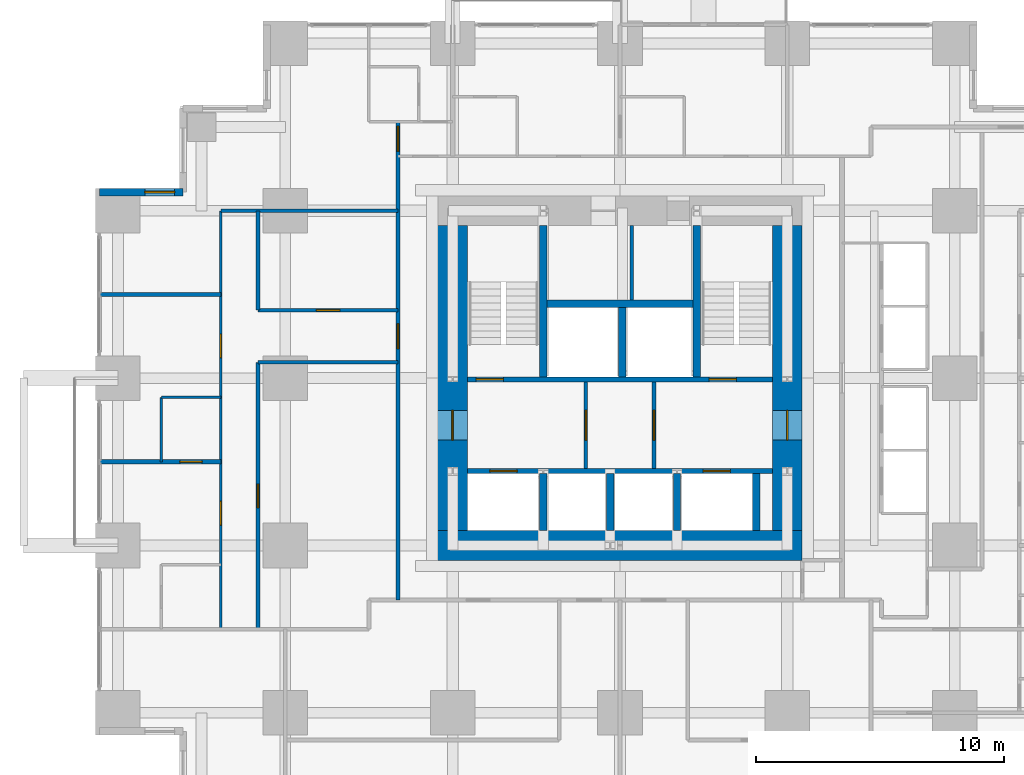
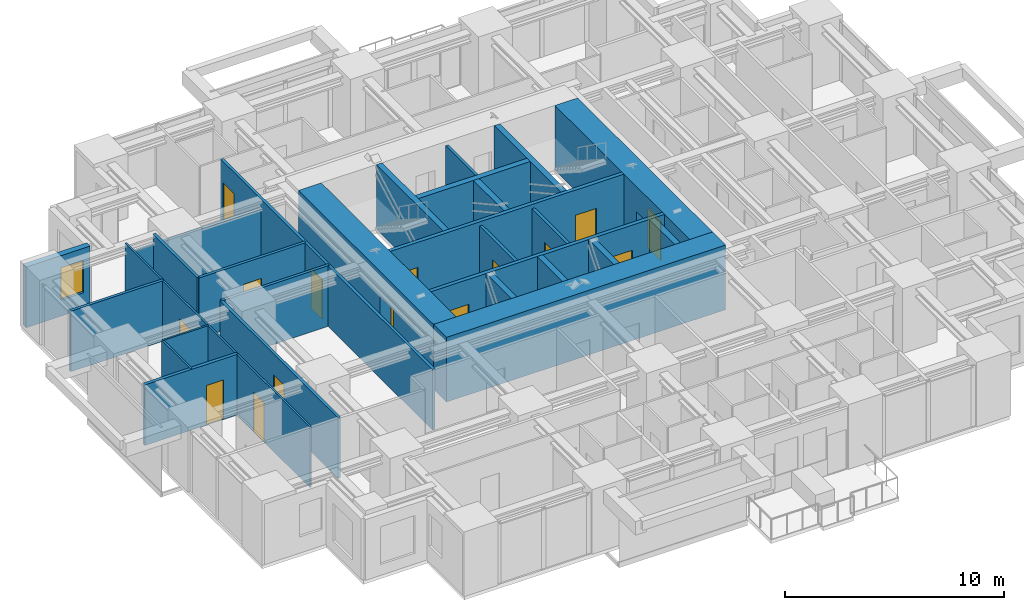
# One storey, part 8 of 12: 28 walls, 15 doors, 1 window, 16 openings.
"""IFC4 building model written with IfcOpenShell, lengths in metres."""

from ifc_helpers import new_model, si_unit, direction, frame, frame_2d, origin, place, context, subcontext, project, spatial, rectangle, extrude, material, layer, layer_set, type_object, element, fill, save


model = new_model("IFC4")

# Units and contexts
model_context = context("Model", 3, precision=1e-05, world=origin(), true_north=direction((0.0, 1.0)))
body_context = subcontext(model_context, "Body", "Model", "MODEL_VIEW")
ifc_project = project(units=[si_unit("LENGTHUNIT", "METRE"), si_unit("AREAUNIT", "SQUARE_METRE"), si_unit("VOLUMEUNIT", "CUBIC_METRE"), si_unit("PLANEANGLEUNIT", "RADIAN"), si_unit("MASSUNIT", "GRAM", prefix="KILO")], contexts=[model_context])

# Site, building, storey
site_placement = place(None, origin())
site = spatial("IfcSite", under=ifc_project, at=site_placement, CompositionType="ELEMENT")
building_placement = place(site_placement, origin())
building = spatial("IfcBuilding", under=site, at=building_placement, Name="Nyansa Garden Tower", CompositionType="ELEMENT")
storey_placement = place(building_placement, frame((0.0, 0.0, 90.89990234375)))
storey = spatial("IfcBuildingStorey", under=building, at=storey_placement, Name="L24", CompositionType="ELEMENT", Elevation=90.89990234375)

# Wall, opening, door
ifc_material_1 = material(Name="Dense blockwork, plastered both sides, 55 dB", Category="masonry")
ifc_layer_1 = layer(ifc_material_1, 0.175048828125)
ifc_layer_set_1 = layer_set([ifc_layer_1], Name="Acoustic party wall PW175")
wall_type_1 = type_object("IfcWallType", Name="Acoustic party wall PW175", PredefinedType="PARTITIONING", material=ifc_layer_set_1)
wall_1_placement = place(storey_placement, frame((-0.73388671875, 16.875, 0.0), z_axis=(0.0, 0.0, 1.0), x_axis=(1.0, 0.0, 0.0)))
wall_1 = element("IfcWall", 1, at=wall_1_placement, inside=storey, type_object=wall_type_1, Name="Party wall", PredefinedType="PARTITIONING", context=body_context, shape_type="SweptSolid", body=[
    extrude(rectangle(XDim=4.8837890625, YDim=0.175048828125, at=frame_2d((2.44189453125, 0.0))), origin(), (0.0, 0.0, 1.0), 3.375),
])
opening_1_placement = place(wall_1_placement, frame((3.23388671875, 0.0, 0.0)))
opening_1 = element("IfcOpeningElement", 2, at=opening_1_placement, cuts=wall_1, Name="Opening D02", PredefinedType="OPENING", context=body_context, shape_type="SweptSolid", body=[
    extrude(rectangle(XDim=0.89990234375, YDim=2.199951171875, at=frame_2d((0.449951171875, 1.10009765625))), frame((0.0, 0.097412109375, 0.0), z_axis=(0.0, -1.0, 0.0), x_axis=(1.0, 0.0, 0.0)), (0.0, 0.0, 1.0), 0.195068359375),
])
ifc_material_2 = material(Name="Timber flush door", Category="wood")
door_type_1 = type_object("IfcDoorType", Name="En-suite door D02 900x2200", OperationType="SINGLE_SWING_RIGHT", PredefinedType="DOOR", material=ifc_material_2)
door_1_placement = place(opening_1_placement, origin())
door_1 = element("IfcDoor", 3, at=door_1_placement, inside=storey, type_object=door_type_1, Name="Door L24-056", OperationType="SINGLE_SWING_RIGHT", OverallHeight=2.199951171875, OverallWidth=0.89990234375, PredefinedType="DOOR", context=body_context, shape_type="SweptSolid", body=[
    extrude(rectangle(XDim=0.89990234375, YDim=2.199951171875, at=frame_2d((0.449951171875, 1.10009765625))), frame((0.0, 0.02490234375, 0.0), z_axis=(0.0, -1.0, 0.0), x_axis=(1.0, 0.0, 0.0)), (0.0, 0.0, 1.0), 0.050048828125),
])
fill(opening_1, door_1)

# Wall, openings, doors
ifc_material_3 = material(Name="Concrete C70/85", Category="concrete")
ifc_layer_2 = layer(ifc_material_3, 0.199951171875)
ifc_layer_set_2 = layer_set([ifc_layer_2], Name="Core inner wall CI200")
wall_type_2 = type_object("IfcWallType", Name="Core inner wall CI200", PredefinedType="SHEAR", material=ifc_layer_set_2)
wall_2_placement = place(storey_placement, frame((14.10009765625, 16.5, 0.0), z_axis=(0.0, 0.0, 1.0), x_axis=(1.0, 0.0, 0.0)))
wall_2 = element("IfcWall", 4, at=wall_2_placement, inside=storey, type_object=wall_type_2, Name="Core inner wall L24", PredefinedType="SHEAR", context=body_context, shape_type="SweptSolid", body=[
    extrude(rectangle(XDim=12.2998046875, YDim=0.199951171875, at=frame_2d((6.14990234375, 0.0))), origin(), (0.0, 0.0, 1.0), 3.60009765625),
])
opening_2_placement = place(wall_2_placement, frame((0.89990234375, 0.0, 0.0)))
opening_2 = element("IfcOpeningElement", 5, at=opening_2_placement, cuts=wall_2, Name="Opening LD-F", PredefinedType="OPENING", context=body_context, shape_type="SweptSolid", body=[
    extrude(rectangle(XDim=1.10009765625, YDim=2.199951171875, at=frame_2d((0.550048828125, 1.10009765625))), frame((0.0, 0.10986328125, 0.0), z_axis=(0.0, -1.0, 0.0), x_axis=(1.0, 0.0, 0.0)), (0.0, 0.0, 1.0), 0.219970703125),
])
opening_3_placement = place(wall_2_placement, frame((9.5, 0.0, 0.0)))
opening_3 = element("IfcOpeningElement", 6, at=opening_3_placement, cuts=wall_2, Name="Opening LD-F", PredefinedType="OPENING", context=body_context, shape_type="SweptSolid", body=[
    extrude(rectangle(XDim=1.10009765625, YDim=2.199951171875, at=frame_2d((0.550048828125, 1.10009765625))), frame((0.0, 0.10986328125, 0.0), z_axis=(0.0, -1.0, 0.0), x_axis=(1.0, 0.0, 0.0)), (0.0, 0.0, 1.0), 0.219970703125),
])
ifc_material_4 = material(Name="Stainless steel centre-opening landing door of the firefighting lift, EN 81-72, E 120", Category="steel")
door_type_2 = type_object("IfcDoorType", Name="Lift landing door LD-F 1100x2200", OperationType="DOUBLE_DOOR_SLIDING", PredefinedType="DOOR", material=ifc_material_4)
door_2_placement = place(opening_2_placement, origin())
door_2 = element("IfcDoor", 7, at=door_2_placement, inside=storey, type_object=door_type_2, Name="Landing door FF1", OperationType="DOUBLE_DOOR_SLIDING", OverallHeight=2.199951171875, OverallWidth=1.10009765625, PredefinedType="DOOR", context=body_context, shape_type="SweptSolid", body=[
    extrude(rectangle(XDim=1.10009765625, YDim=2.199951171875, at=frame_2d((0.550048828125, 1.10009765625))), frame((0.0, 0.02490234375, 0.0), z_axis=(0.0, -1.0, 0.0), x_axis=(1.0, 0.0, 0.0)), (0.0, 0.0, 1.0), 0.050048828125),
])
fill(opening_2, door_2)
door_3_placement = place(opening_3_placement, origin())
door_3 = element("IfcDoor", 8, at=door_3_placement, inside=storey, type_object=door_type_2, Name="Landing door FF2", OperationType="DOUBLE_DOOR_SLIDING", OverallHeight=2.199951171875, OverallWidth=1.10009765625, PredefinedType="DOOR", context=body_context, shape_type="SweptSolid", body=[
    extrude(rectangle(XDim=1.10009765625, YDim=2.199951171875, at=frame_2d((0.550048828125, 1.10009765625))), frame((0.0, 0.02490234375, 0.0), z_axis=(0.0, -1.0, 0.0), x_axis=(1.0, 0.0, 0.0)), (0.0, 0.0, 1.0), 0.050048828125),
])
fill(opening_3, door_3)

wall_3_placement = place(storey_placement, frame((14.10009765625, 20.199951171875, 0.0), z_axis=(0.0, 0.0, 1.0), x_axis=(1.0, 0.0, 0.0)))
wall_3 = element("IfcWall", 9, at=wall_3_placement, inside=storey, type_object=wall_type_2, Name="Core inner wall L24", PredefinedType="SHEAR", context=body_context, shape_type="SweptSolid", body=[
    extrude(rectangle(XDim=12.2998046875, YDim=0.199951171875, at=frame_2d((6.14990234375, 0.0))), origin(), (0.0, 0.0, 1.0), 3.60009765625),
])
opening_4_placement = place(wall_3_placement, frame((0.35009765625, 0.0, 0.0)))
opening_4 = element("IfcOpeningElement", 10, at=opening_4_placement, cuts=wall_3, Name="Opening D05", PredefinedType="OPENING", context=body_context, shape_type="SweptSolid", body=[
    extrude(rectangle(XDim=1.10009765625, YDim=2.199951171875, at=frame_2d((0.550048828125, 1.10009765625))), frame((0.0, 0.10986328125, 0.0), z_axis=(0.0, -1.0, 0.0), x_axis=(1.0, 0.0, 0.0)), (0.0, 0.0, 1.0), 0.219970703125),
])
opening_5_placement = place(wall_3_placement, frame((9.75, 0.0, 0.0)))
opening_5 = element("IfcOpeningElement", 11, at=opening_5_placement, cuts=wall_3, Name="Opening D05", PredefinedType="OPENING", context=body_context, shape_type="SweptSolid", body=[
    extrude(rectangle(XDim=1.10009765625, YDim=2.199951171875, at=frame_2d((0.550048828125, 1.10009765625))), frame((0.0, 0.10986328125, 0.0), z_axis=(0.0, -1.0, 0.0), x_axis=(1.0, 0.0, 0.0)), (0.0, 0.0, 1.0), 0.219970703125),
])
ifc_material_5 = material(Name="Steel door, 120 minute fire resisting", Category="steel")
door_type_3 = type_object("IfcDoorType", Name="Stair door D05 1100x2200", OperationType="SINGLE_SWING_LEFT", PredefinedType="DOOR", material=ifc_material_5)
door_4_placement = place(opening_4_placement, origin())
door_4 = element("IfcDoor", 12, at=door_4_placement, inside=storey, type_object=door_type_3, Name="Stair S1 door", OperationType="SINGLE_SWING_LEFT", OverallHeight=2.199951171875, OverallWidth=1.10009765625, PredefinedType="DOOR", context=body_context, shape_type="SweptSolid", body=[
    extrude(rectangle(XDim=1.10009765625, YDim=2.199951171875, at=frame_2d((0.550048828125, 1.10009765625))), frame((0.0, 0.02490234375, 0.0), z_axis=(0.0, -1.0, 0.0), x_axis=(1.0, 0.0, 0.0)), (0.0, 0.0, 1.0), 0.050048828125),
])
fill(opening_4, door_4)
door_5_placement = place(opening_5_placement, origin())
door_5 = element("IfcDoor", 13, at=door_5_placement, inside=storey, type_object=door_type_3, Name="Stair S2 door", OperationType="SINGLE_SWING_LEFT", OverallHeight=2.199951171875, OverallWidth=1.10009765625, PredefinedType="DOOR", context=body_context, shape_type="SweptSolid", body=[
    extrude(rectangle(XDim=1.10009765625, YDim=2.199951171875, at=frame_2d((0.550048828125, 1.10009765625))), frame((0.0, 0.02490234375, 0.0), z_axis=(0.0, -1.0, 0.0), x_axis=(1.0, 0.0, 0.0)), (0.0, 0.0, 1.0), 0.050048828125),
])
fill(opening_5, door_5)

# Walls
ifc_material_6 = material(Name="Concrete C70/85", Category="concrete")
ifc_layer_3 = layer(ifc_material_6, 0.300048828125)
ifc_layer_set_3 = layer_set([ifc_layer_3], Name="Core inner wall CI300")
wall_type_3 = type_object("IfcWallType", Name="Core inner wall CI300", PredefinedType="SHEAR", material=ifc_layer_set_3)
for number, where, z_axis, x_axis, name in (
    (14, (17.14990234375, 20.300048828125, 0.0), (0.0, 0.0, 1.0), (0.0, 1.0, 0.0), "Core inner wall L24"),
    (15, (23.35009765625, 20.300048828125, 0.0), (0.0, 0.0, 1.0), (0.0, 1.0, 0.0), "Core inner wall L24"),
):
    element("IfcWall", number, at=place(storey_placement, frame(where, z_axis=z_axis, x_axis=x_axis)), inside=storey, type_object=wall_type_3, Name=name, PredefinedType="SHEAR", context=body_context, shape_type="SweptSolid", body=[
        extrude(rectangle(XDim=6.099853515625, YDim=0.300048828125, at=frame_2d((3.0498046875, 0.0))), origin(), (0.0, 0.0, 1.0), 3.60009765625),
    ])
wall_4_placement = place(storey_placement, frame((20.35009765625, 20.300048828125, 0.0), z_axis=(0.0, 0.0, 1.0), x_axis=(0.0, 1.0, 0.0)))
element("IfcWall", 16, at=wall_4_placement, inside=storey, type_object=wall_type_3, Name="Core inner wall L24", PredefinedType="SHEAR", context=body_context, shape_type="SweptSolid", body=[
    extrude(rectangle(XDim=2.800048828125, YDim=0.300048828125, at=frame_2d((1.39990234375, 0.0))), origin(), (0.0, 0.0, 1.0), 3.60009765625),
])
wall_5_placement = place(storey_placement, frame((17.300048828125, 23.25, 0.0), z_axis=(0.0, 0.0, 1.0), x_axis=(1.0, 0.0, 0.0)))
element("IfcWall", 17, at=wall_5_placement, inside=storey, type_object=wall_type_3, Name="Core inner wall L24", PredefinedType="SHEAR", context=body_context, shape_type="SweptSolid", body=[
    extrude(rectangle(XDim=5.89990234375, YDim=0.300048828125, at=frame_2d((2.949951171875, 0.0))), origin(), (0.0, 0.0, 1.0), 3.60009765625),
])
for number, where, z_axis, x_axis, name in (
    (18, (17.14990234375, 14.10009765625, 0.0), (0.0, 0.0, 1.0), (0.0, 1.0, 0.0), "Core inner wall L24"),
    (19, (19.85009765625, 14.10009765625, 0.0), (0.0, 0.0, 1.0), (0.0, 1.0, 0.0), "Core inner wall L24"),
    (20, (22.550048828125, 14.10009765625, 0.0), (0.0, 0.0, 1.0), (0.0, 1.0, 0.0), "Core inner wall L24"),
    (21, (25.75, 14.10009765625, 0.0), (0.0, 0.0, 1.0), (0.0, 1.0, 0.0), "Core inner wall L24"),
):
    element("IfcWall", number, at=place(storey_placement, frame(where, z_axis=z_axis, x_axis=x_axis)), inside=storey, type_object=wall_type_3, Name=name, PredefinedType="SHEAR", context=body_context, shape_type="SweptSolid", body=[
        extrude(rectangle(XDim=2.2998046875, YDim=0.300048828125, at=frame_2d((1.14990234375, 0.0))), origin(), (0.0, 0.0, 1.0), 3.60009765625),
    ])
ifc_material_7 = material(Name="Concrete C80/95", Category="concrete")
ifc_layer_4 = layer(ifc_material_7, 1.199951171875)
ifc_layer_set_4 = layer_set([ifc_layer_4], Name="Core wall CW1200")
wall_type_4 = type_object("IfcWallType", Name="Core wall CW1200", PredefinedType="SHEAR", material=ifc_layer_set_4)
wall_6_placement = place(storey_placement, frame((12.89990234375, 13.5, 0.0), z_axis=(0.0, 0.0, 1.0), x_axis=(1.0, 0.0, 0.0)))
element("IfcWall", 22, at=wall_6_placement, inside=storey, type_object=wall_type_4, Name="Core wall S L24", PredefinedType="SHEAR", context=body_context, shape_type="SweptSolid", body=[
    extrude(rectangle(XDim=14.7001953125, YDim=1.199951171875, at=frame_2d((7.35009765625, 0.0))), origin(), (0.0, 0.0, 1.0), 3.60009765625),
])

# Wall, opening, door
wall_7_placement = place(storey_placement, frame((27.0, 14.10009765625, 0.0), z_axis=(0.0, 0.0, 1.0), x_axis=(0.0, 1.0, 0.0)))
wall_7 = element("IfcWall", 23, at=wall_7_placement, inside=storey, type_object=wall_type_4, Name="Core wall E L24", PredefinedType="SHEAR", context=body_context, shape_type="SweptSolid", body=[
    extrude(rectangle(XDim=12.2998046875, YDim=1.199951171875, at=frame_2d((6.14990234375, 0.0))), origin(), (0.0, 0.0, 1.0), 3.60009765625),
])
opening_6_placement = place(wall_7_placement, frame((3.64990234375, 0.0, 0.0)))
opening_6 = element("IfcOpeningElement", 24, at=opening_6_placement, cuts=wall_7, Name="Opening D06", PredefinedType="OPENING", context=body_context, shape_type="SweptSolid", body=[
    extrude(rectangle(XDim=1.199951171875, YDim=2.199951171875, at=frame_2d((0.60009765625, 1.10009765625))), frame((0.0, 0.60986328125, 0.0), z_axis=(0.0, -1.0, 0.0), x_axis=(1.0, 0.0, 0.0)), (0.0, 0.0, 1.0), 1.219970703125),
])
ifc_material_8 = material(Name="Steel door, 120 minute fire resisting", Category="steel")
door_type_4 = type_object("IfcDoorType", Name="Lobby door D06 1200x2200", OperationType="DOUBLE_DOOR_SINGLE_SWING", PredefinedType="DOOR", material=ifc_material_8)
door_6_placement = place(opening_6_placement, origin())
door_6 = element("IfcDoor", 25, at=door_6_placement, inside=storey, type_object=door_type_4, Name="Lift lobby door east", OperationType="DOUBLE_DOOR_SINGLE_SWING", OverallHeight=2.199951171875, OverallWidth=1.199951171875, PredefinedType="DOOR", context=body_context, shape_type="SweptSolid", body=[
    extrude(rectangle(XDim=1.199951171875, YDim=2.199951171875, at=frame_2d((0.60009765625, 1.10009765625))), frame((0.0, 0.02490234375, 0.0), z_axis=(0.0, -1.0, 0.0), x_axis=(1.0, 0.0, 0.0)), (0.0, 0.0, 1.0), 0.050048828125),
])
fill(opening_6, door_6)

wall_8_placement = place(storey_placement, frame((13.5, 26.39990234375, 0.0), z_axis=(0.0, 0.0, 1.0), x_axis=(0.0, -1.0, 0.0)))
wall_8 = element("IfcWall", 26, at=wall_8_placement, inside=storey, type_object=wall_type_4, Name="Core wall W L24", PredefinedType="SHEAR", context=body_context, shape_type="SweptSolid", body=[
    extrude(rectangle(XDim=12.2998046875, YDim=1.199951171875, at=frame_2d((6.14990234375, 0.0))), origin(), (0.0, 0.0, 1.0), 3.60009765625),
])
opening_7_placement = place(wall_8_placement, frame((7.449951171875, 0.0, 0.0)))
opening_7 = element("IfcOpeningElement", 27, at=opening_7_placement, cuts=wall_8, Name="Opening D06", PredefinedType="OPENING", context=body_context, shape_type="SweptSolid", body=[
    extrude(rectangle(XDim=1.199951171875, YDim=2.199951171875, at=frame_2d((0.60009765625, 1.10009765625))), frame((0.0, 0.60986328125, 0.0), z_axis=(0.0, -1.0, 0.0), x_axis=(1.0, 0.0, 0.0)), (0.0, 0.0, 1.0), 1.219970703125),
])
door_7_placement = place(opening_7_placement, origin())
door_7 = element("IfcDoor", 28, at=door_7_placement, inside=storey, type_object=door_type_4, Name="Lift lobby door west", OperationType="DOUBLE_DOOR_SINGLE_SWING", OverallHeight=2.199951171875, OverallWidth=1.199951171875, PredefinedType="DOOR", context=body_context, shape_type="SweptSolid", body=[
    extrude(rectangle(XDim=1.199951171875, YDim=2.199951171875, at=frame_2d((0.60009765625, 1.10009765625))), frame((0.0, 0.02490234375, 0.0), z_axis=(0.0, -1.0, 0.0), x_axis=(1.0, 0.0, 0.0)), (0.0, 0.0, 1.0), 0.050048828125),
])
fill(opening_7, door_7)

ifc_material_9 = material(Name="Blockwork, plastered both sides", Category="masonry")
ifc_layer_5 = layer(ifc_material_9, 0.14990234375)
ifc_layer_set_5 = layer_set([ifc_layer_5], Name="Partition PW150")
wall_type_5 = type_object("IfcWallType", Name="Partition PW150", PredefinedType="PARTITIONING", material=ifc_layer_set_5)
wall_9_placement = place(storey_placement, frame((18.875, 16.60009765625, 0.0), z_axis=(0.0, 0.0, 1.0), x_axis=(0.0, 1.0, 0.0)))
wall_9 = element("IfcWall", 29, at=wall_9_placement, inside=storey, type_object=wall_type_5, Name="Partition", PredefinedType="PARTITIONING", context=body_context, shape_type="SweptSolid", body=[
    extrude(rectangle(XDim=3.5, YDim=0.14990234375, at=frame_2d((1.75, 0.0))), origin(), (0.0, 0.0, 1.0), 3.375),
])
opening_8_placement = place(wall_9_placement, frame((1.14990234375, 0.0, 0.0)))
opening_8 = element("IfcOpeningElement", 30, at=opening_8_placement, cuts=wall_9, Name="Opening D06", PredefinedType="OPENING", context=body_context, shape_type="SweptSolid", body=[
    extrude(rectangle(XDim=1.199951171875, YDim=2.199951171875, at=frame_2d((0.60009765625, 1.10009765625))), frame((0.0, 0.0849609375, 0.0), z_axis=(0.0, -1.0, 0.0), x_axis=(1.0, 0.0, 0.0)), (0.0, 0.0, 1.0), 0.169921875),
])
door_8_placement = place(opening_8_placement, origin())
door_8 = element("IfcDoor", 31, at=door_8_placement, inside=storey, type_object=door_type_4, Name="Passenger lift lobby door", OperationType="DOUBLE_DOOR_SINGLE_SWING", OverallHeight=2.199951171875, OverallWidth=1.199951171875, PredefinedType="DOOR", context=body_context, shape_type="SweptSolid", body=[
    extrude(rectangle(XDim=1.199951171875, YDim=2.199951171875, at=frame_2d((0.60009765625, 1.10009765625))), frame((0.0, 0.02490234375, 0.0), z_axis=(0.0, -1.0, 0.0), x_axis=(1.0, 0.0, 0.0)), (0.0, 0.0, 1.0), 0.050048828125),
])
fill(opening_8, door_8)

wall_10_placement = place(storey_placement, frame((21.625, 16.60009765625, 0.0), z_axis=(0.0, 0.0, 1.0), x_axis=(0.0, 1.0, 0.0)))
wall_10 = element("IfcWall", 32, at=wall_10_placement, inside=storey, type_object=wall_type_5, Name="Partition", PredefinedType="PARTITIONING", context=body_context, shape_type="SweptSolid", body=[
    extrude(rectangle(XDim=3.5, YDim=0.14990234375, at=frame_2d((1.75, 0.0))), origin(), (0.0, 0.0, 1.0), 3.375),
])
opening_9_placement = place(wall_10_placement, frame((1.14990234375, 0.0, 0.0)))
opening_9 = element("IfcOpeningElement", 33, at=opening_9_placement, cuts=wall_10, Name="Opening D06", PredefinedType="OPENING", context=body_context, shape_type="SweptSolid", body=[
    extrude(rectangle(XDim=1.199951171875, YDim=2.199951171875, at=frame_2d((0.60009765625, 1.10009765625))), frame((0.0, 0.0849609375, 0.0), z_axis=(0.0, -1.0, 0.0), x_axis=(1.0, 0.0, 0.0)), (0.0, 0.0, 1.0), 0.169921875),
])
door_9_placement = place(opening_9_placement, origin())
door_9 = element("IfcDoor", 34, at=door_9_placement, inside=storey, type_object=door_type_4, Name="Passenger lift lobby door", OperationType="DOUBLE_DOOR_SINGLE_SWING", OverallHeight=2.199951171875, OverallWidth=1.199951171875, PredefinedType="DOOR", context=body_context, shape_type="SweptSolid", body=[
    extrude(rectangle(XDim=1.199951171875, YDim=2.199951171875, at=frame_2d((0.60009765625, 1.10009765625))), frame((0.0, 0.02490234375, 0.0), z_axis=(0.0, -1.0, 0.0), x_axis=(1.0, 0.0, 0.0)), (0.0, 0.0, 1.0), 0.050048828125),
])
fill(opening_9, door_9)

# Walls
wall_11_placement = place(storey_placement, frame((20.72509765625, 23.39990234375, 0.0), z_axis=(0.0, 0.0, 1.0), x_axis=(0.0, 1.0, 0.0)))
element("IfcWall", 35, at=wall_11_placement, inside=storey, type_object=wall_type_5, Name="Partition", PredefinedType="PARTITIONING", context=body_context, shape_type="SweptSolid", body=[
    extrude(rectangle(XDim=3.0, YDim=0.14990234375, at=frame_2d((1.5, 0.0))), origin(), (0.0, 0.0, 1.0), 3.375),
])
wall_12_placement = place(storey_placement, frame((-0.73388671875, 23.625, 0.0), z_axis=(0.0, 0.0, 1.0), x_axis=(1.0, 0.0, 0.0)))
element("IfcWall", 36, at=wall_12_placement, inside=storey, type_object=wall_type_5, Name="Partition", PredefinedType="PARTITIONING", context=body_context, shape_type="SweptSolid", body=[
    extrude(rectangle(XDim=4.8837890625, YDim=0.14990234375, at=frame_2d((2.44189453125, 0.0))), origin(), (0.0, 0.0, 1.0), 3.375),
])
wall_13_placement = place(storey_placement, frame((4.14990234375, 27.0, 0.0), z_axis=(0.0, 0.0, 1.0), x_axis=(1.0, 0.0, 0.0)))
element("IfcWall", 37, at=wall_13_placement, inside=storey, type_object=wall_type_5, Name="Partition", PredefinedType="PARTITIONING", context=body_context, shape_type="SweptSolid", body=[
    extrude(rectangle(XDim=7.150146484375, YDim=0.14990234375, at=frame_2d((3.5751953125, 0.0))), origin(), (0.0, 0.0, 1.0), 2.80615234375),
])

# Wall, opening, door
wall_14_placement = place(storey_placement, frame((5.64990234375, 10.125, 0.0), z_axis=(0.0, 0.0, 1.0), x_axis=(0.0, 1.0, 0.0)))
wall_14 = element("IfcWall", 38, at=wall_14_placement, inside=storey, type_object=wall_type_5, Name="Partition", PredefinedType="PARTITIONING", context=body_context, shape_type="SweptSolid", body=[
    extrude(rectangle(XDim=10.762451171875, YDim=0.14990234375, at=frame_2d((5.38134765625, 0.0))), origin(), (0.0, 0.0, 1.0), 3.375),
])
opening_10_placement = place(wall_14_placement, frame((4.89990234375, 0.0, 0.0)))
opening_10 = element("IfcOpeningElement", 39, at=opening_10_placement, cuts=wall_14, Name="Opening D01", PredefinedType="OPENING", context=body_context, shape_type="SweptSolid", body=[
    extrude(rectangle(XDim=0.949951171875, YDim=2.199951171875, at=frame_2d((0.47509765625, 1.10009765625))), frame((0.0, 0.0849609375, 0.0), z_axis=(0.0, -1.0, 0.0), x_axis=(1.0, 0.0, 0.0)), (0.0, 0.0, 1.0), 0.169921875),
])
ifc_material_10 = material(Name="Timber flush door, 30 minute fire resisting", Category="wood")
door_type_5 = type_object("IfcDoorType", Name="Bedroom door D01 950x2200", OperationType="SINGLE_SWING_LEFT", PredefinedType="DOOR", material=ifc_material_10)
door_10_placement = place(opening_10_placement, origin())
door_10 = element("IfcDoor", 40, at=door_10_placement, inside=storey, type_object=door_type_5, Name="Door L24-058", OperationType="SINGLE_SWING_LEFT", OverallHeight=2.199951171875, OverallWidth=0.949951171875, PredefinedType="DOOR", context=body_context, shape_type="SweptSolid", body=[
    extrude(rectangle(XDim=0.949951171875, YDim=2.199951171875, at=frame_2d((0.47509765625, 1.10009765625))), frame((0.0, 0.02490234375, 0.0), z_axis=(0.0, -1.0, 0.0), x_axis=(1.0, 0.0, 0.0)), (0.0, 0.0, 1.0), 0.050048828125),
])
fill(opening_10, door_10)

# Walls
wall_15_placement = place(storey_placement, frame((5.64990234375, 20.886962890625, 0.0), z_axis=(0.0, 0.0, 1.0), x_axis=(1.0, 0.0, 0.0)))
element("IfcWall", 41, at=wall_15_placement, inside=storey, type_object=wall_type_5, Name="Partition", PredefinedType="PARTITIONING", context=body_context, shape_type="SweptSolid", body=[
    extrude(rectangle(XDim=5.650146484375, YDim=0.14990234375, at=frame_2d((2.8251953125, 0.0))), origin(), (0.0, 0.0, 1.0), 3.375),
])
wall_16_placement = place(storey_placement, frame((5.64990234375, 22.987548828125, 0.0), z_axis=(0.0, 0.0, 1.0), x_axis=(0.0, 1.0, 0.0)))
element("IfcWall", 42, at=wall_16_placement, inside=storey, type_object=wall_type_5, Name="Partition", PredefinedType="PARTITIONING", context=body_context, shape_type="SweptSolid", body=[
    extrude(rectangle(XDim=4.012451171875, YDim=0.14990234375, at=frame_2d((2.00634765625, 0.0))), origin(), (0.0, 0.0, 1.0), 3.375),
])

# Wall, opening, door
wall_17_placement = place(storey_placement, frame((5.64990234375, 22.988037109375, 0.0), z_axis=(0.0, 0.0, 1.0), x_axis=(1.0, 0.0, 0.0)))
wall_17 = element("IfcWall", 43, at=wall_17_placement, inside=storey, type_object=wall_type_5, Name="Partition", PredefinedType="PARTITIONING", context=body_context, shape_type="SweptSolid", body=[
    extrude(rectangle(XDim=5.650146484375, YDim=0.14990234375, at=frame_2d((2.8251953125, 0.0))), origin(), (0.0, 0.0, 1.0), 3.375),
])
opening_11_placement = place(wall_17_placement, frame((2.35009765625, 0.0, 0.0)))
opening_11 = element("IfcOpeningElement", 44, at=opening_11_placement, cuts=wall_17, Name="Opening D01", PredefinedType="OPENING", context=body_context, shape_type="SweptSolid", body=[
    extrude(rectangle(XDim=0.949951171875, YDim=2.199951171875, at=frame_2d((0.47509765625, 1.10009765625))), frame((0.0, 0.0849609375, 0.0), z_axis=(0.0, -1.0, 0.0), x_axis=(1.0, 0.0, 0.0)), (0.0, 0.0, 1.0), 0.169921875),
])
door_11_placement = place(opening_11_placement, origin())
door_11 = element("IfcDoor", 45, at=door_11_placement, inside=storey, type_object=door_type_5, Name="Door L24-059", OperationType="SINGLE_SWING_LEFT", OverallHeight=2.199951171875, OverallWidth=0.949951171875, PredefinedType="DOOR", context=body_context, shape_type="SweptSolid", body=[
    extrude(rectangle(XDim=0.949951171875, YDim=2.199951171875, at=frame_2d((0.47509765625, 1.10009765625))), frame((0.0, 0.02490234375, 0.0), z_axis=(0.0, -1.0, 0.0), x_axis=(1.0, 0.0, 0.0)), (0.0, 0.0, 1.0), 0.050048828125),
])
fill(opening_11, door_11)

# Wall, openings, doors
wall_18_placement = place(storey_placement, frame((11.300048828125, 11.300048828125, 0.0), z_axis=(0.0, 0.0, 1.0), x_axis=(0.0, 1.0, 0.0)))
wall_18 = element("IfcWall", 46, at=wall_18_placement, inside=storey, type_object=wall_type_5, Name="Partition", PredefinedType="PARTITIONING", context=body_context, shape_type="SweptSolid", body=[
    extrude(rectangle(XDim=19.300048828125, YDim=0.14990234375, at=frame_2d((9.64990234375, 0.0))), origin(), (0.0, 0.0, 1.0), 3.375),
])
opening_12_placement = place(wall_18_placement, frame((18.10009765625, 0.0, 0.0)))
opening_12 = element("IfcOpeningElement", 47, at=opening_12_placement, cuts=wall_18, Name="Opening D03", PredefinedType="OPENING", context=body_context, shape_type="SweptSolid", body=[
    extrude(rectangle(XDim=1.0, YDim=2.199951171875, at=frame_2d((0.5, 1.10009765625))), frame((0.0, 0.0849609375, 0.0), z_axis=(0.0, -1.0, 0.0), x_axis=(1.0, 0.0, 0.0)), (0.0, 0.0, 1.0), 0.169921875),
])
opening_13_placement = place(wall_18_placement, frame((10.137451171875, 0.0, 0.0)))
opening_13 = element("IfcOpeningElement", 48, at=opening_13_placement, cuts=wall_18, Name="Opening D03", PredefinedType="OPENING", context=body_context, shape_type="SweptSolid", body=[
    extrude(rectangle(XDim=1.0, YDim=2.199951171875, at=frame_2d((0.5, 1.10009765625))), frame((0.0, 0.0849609375, 0.0), z_axis=(0.0, -1.0, 0.0), x_axis=(1.0, 0.0, 0.0)), (0.0, 0.0, 1.0), 0.169921875),
])
ifc_material_11 = material(Name="Timber flush door, 60 minute fire resisting", Category="wood")
door_type_6 = type_object("IfcDoorType", Name="Cluster entrance door D03 1000x2200", OperationType="SINGLE_SWING_LEFT", PredefinedType="DOOR", material=ifc_material_11)
door_12_placement = place(opening_12_placement, origin())
door_12 = element("IfcDoor", 49, at=door_12_placement, inside=storey, type_object=door_type_6, Name="Door L24-052", OperationType="SINGLE_SWING_LEFT", OverallHeight=2.199951171875, OverallWidth=1.0, PredefinedType="DOOR", context=body_context, shape_type="SweptSolid", body=[
    extrude(rectangle(XDim=1.0, YDim=2.199951171875, at=frame_2d((0.5, 1.10009765625))), frame((0.0, 0.02490234375, 0.0), z_axis=(0.0, -1.0, 0.0), x_axis=(1.0, 0.0, 0.0)), (0.0, 0.0, 1.0), 0.050048828125),
])
fill(opening_12, door_12)
door_13_placement = place(opening_13_placement, origin())
door_13 = element("IfcDoor", 50, at=door_13_placement, inside=storey, type_object=door_type_6, Name="Door L24-057", OperationType="SINGLE_SWING_LEFT", OverallHeight=2.199951171875, OverallWidth=1.0, PredefinedType="DOOR", context=body_context, shape_type="SweptSolid", body=[
    extrude(rectangle(XDim=1.0, YDim=2.199951171875, at=frame_2d((0.5, 1.10009765625))), frame((0.0, 0.02490234375, 0.0), z_axis=(0.0, -1.0, 0.0), x_axis=(1.0, 0.0, 0.0)), (0.0, 0.0, 1.0), 0.050048828125),
])
fill(opening_13, door_13)

# Wall, opening, window
ifc_material_12 = material(Name="Turquoise glazed tile on concrete blockwork", Category="masonry")
ifc_layer_6 = layer(ifc_material_12, 0.300048828125)
ifc_layer_set_6 = layer_set([ifc_layer_6], Name="Tiled corner wall TW300")
wall_type_6 = type_object("IfcWallType", Name="Tiled corner wall TW300", PredefinedType="SOLIDWALL", material=ifc_layer_set_6)
wall_19_placement = place(storey_placement, frame((2.625, 27.75, 0.0), z_axis=(0.0, 0.0, 1.0), x_axis=(-1.0, 0.0, 0.0)))
wall_19 = element("IfcWall", 51, at=wall_19_placement, inside=storey, type_object=wall_type_6, Name="Tiled corner wall L24", PredefinedType="SOLIDWALL", context=body_context, shape_type="SweptSolid", body=[
    extrude(rectangle(XDim=3.375, YDim=0.300048828125, at=frame_2d((1.6875, 0.0))), origin(), (0.0, 0.0, 1.0), 3.375),
])
opening_14_placement = place(wall_19_placement, frame((0.342529296875, 0.0, 0.89990234375)))
opening_14 = element("IfcOpeningElement", 52, at=opening_14_placement, cuts=wall_19, Name="Opening W4", PredefinedType="OPENING", context=body_context, shape_type="SweptSolid", body=[
    extrude(rectangle(XDim=1.199951171875, YDim=1.800048828125, at=frame_2d((0.60009765625, 0.89990234375))), frame((0.0, 0.159912109375, 0.0), z_axis=(0.0, -1.0, 0.0), x_axis=(1.0, 0.0, 0.0)), (0.0, 0.0, 1.0), 0.320068359375),
])
ifc_material_13 = material(Name="Black aluminium frame, dark tinted double glazing", Category="aluminium")
window_type = type_object("IfcWindowType", Name="Window W4 1200x1800", PartitioningType="SINGLE_PANEL", PredefinedType="WINDOW", material=ifc_material_13)
window_placement = place(opening_14_placement, origin())
window = element("IfcWindow", 53, at=window_placement, inside=storey, type_object=window_type, Name="Corner window L24", OverallHeight=1.800048828125, OverallWidth=1.199951171875, PartitioningType="SINGLE_PANEL", PredefinedType="WINDOW", context=body_context, shape_type="SweptSolid", body=[
    extrude(rectangle(XDim=1.199951171875, YDim=1.800048828125, at=frame_2d((0.60009765625, 0.89990234375))), frame((0.0, 0.030029296875, 0.0), z_axis=(0.0, -1.0, 0.0), x_axis=(1.0, 0.0, 0.0)), (0.0, 0.0, 1.0), 0.06005859375),
])
fill(opening_14, window)

# Walls
ifc_material_14 = material(Name="Moisture resistant board on steel studs, tiled", Category="steel")
ifc_layer_7 = layer(ifc_material_14, 0.10009765625)
ifc_layer_set_7 = layer_set([ifc_layer_7], Name="Wet wall PW100")
wall_type_7 = type_object("IfcWallType", Name="Wet wall PW100", PredefinedType="PARTITIONING", material=ifc_layer_set_7)
wall_20_placement = place(storey_placement, frame((1.75, 16.875, 0.0), z_axis=(0.0, 0.0, 1.0), x_axis=(0.0, 1.0, 0.0)))
element("IfcWall", 54, at=wall_20_placement, inside=storey, type_object=wall_type_7, Name="Wet wall", PredefinedType="PARTITIONING", context=body_context, shape_type="SweptSolid", body=[
    extrude(rectangle(XDim=2.60009765625, YDim=0.10009765625, at=frame_2d((1.300048828125, 0.0))), origin(), (0.0, 0.0, 1.0), 3.375),
])
wall_21_placement = place(storey_placement, frame((1.75, 19.47509765625, 0.0), z_axis=(0.0, 0.0, 1.0), x_axis=(1.0, 0.0, 0.0)))
element("IfcWall", 55, at=wall_21_placement, inside=storey, type_object=wall_type_7, Name="Wet wall", PredefinedType="PARTITIONING", context=body_context, shape_type="SweptSolid", body=[
    extrude(rectangle(XDim=2.39990234375, YDim=0.10009765625, at=frame_2d((1.199951171875, 0.0))), origin(), (0.0, 0.0, 1.0), 3.375),
])

# Wall, openings, doors
wall_22_placement = place(storey_placement, frame((4.14990234375, 10.125, 0.0), z_axis=(0.0, 0.0, 1.0), x_axis=(0.0, 1.0, 0.0)))
wall_22 = element("IfcWall", 56, at=wall_22_placement, inside=storey, type_object=wall_type_7, Name="Wet wall", PredefinedType="PARTITIONING", context=body_context, shape_type="SweptSolid", body=[
    extrude(rectangle(XDim=16.875, YDim=0.10009765625, at=frame_2d((8.4375, 0.0))), origin(), (0.0, 0.0, 1.0), 3.375),
])
opening_15_placement = place(wall_22_placement, frame((4.199951171875, 0.0, 0.0)))
opening_15 = element("IfcOpeningElement", 57, at=opening_15_placement, cuts=wall_22, Name="Opening D14", PredefinedType="OPENING", context=body_context, shape_type="SweptSolid", body=[
    extrude(rectangle(XDim=0.949951171875, YDim=2.199951171875, at=frame_2d((0.47509765625, 1.10009765625))), frame((0.0, 0.06005859375, 0.0), z_axis=(0.0, -1.0, 0.0), x_axis=(1.0, 0.0, 0.0)), (0.0, 0.0, 1.0), 0.1201171875),
])
opening_16_placement = place(wall_22_placement, frame((10.949951171875, 0.0, 0.0)))
opening_16 = element("IfcOpeningElement", 58, at=opening_16_placement, cuts=wall_22, Name="Opening D14", PredefinedType="OPENING", context=body_context, shape_type="SweptSolid", body=[
    extrude(rectangle(XDim=0.949951171875, YDim=2.199951171875, at=frame_2d((0.47509765625, 1.10009765625))), frame((0.0, 0.06005859375, 0.0), z_axis=(0.0, -1.0, 0.0), x_axis=(1.0, 0.0, 0.0)), (0.0, 0.0, 1.0), 0.1201171875),
])
ifc_material_15 = material(Name="Timber flush door, 60 minute fire resisting, self-closing", Category="wood")
door_type_7 = type_object("IfcDoorType", Name="Studio entrance door D14 950x2200", OperationType="SINGLE_SWING_LEFT", PredefinedType="DOOR", material=ifc_material_15)
door_14_placement = place(opening_15_placement, origin())
door_14 = element("IfcDoor", 59, at=door_14_placement, inside=storey, type_object=door_type_7, Name="Door L24-053", OperationType="SINGLE_SWING_LEFT", OverallHeight=2.199951171875, OverallWidth=0.949951171875, PredefinedType="DOOR", context=body_context, shape_type="SweptSolid", body=[
    extrude(rectangle(XDim=0.949951171875, YDim=2.199951171875, at=frame_2d((0.47509765625, 1.10009765625))), frame((0.0, 0.02490234375, 0.0), z_axis=(0.0, -1.0, 0.0), x_axis=(1.0, 0.0, 0.0)), (0.0, 0.0, 1.0), 0.050048828125),
])
fill(opening_15, door_14)
door_15_placement = place(opening_16_placement, origin())
door_15 = element("IfcDoor", 60, at=door_15_placement, inside=storey, type_object=door_type_7, Name="Door L24-055", OperationType="SINGLE_SWING_LEFT", OverallHeight=2.199951171875, OverallWidth=0.949951171875, PredefinedType="DOOR", context=body_context, shape_type="SweptSolid", body=[
    extrude(rectangle(XDim=0.949951171875, YDim=2.199951171875, at=frame_2d((0.47509765625, 1.10009765625))), frame((0.0, 0.02490234375, 0.0), z_axis=(0.0, -1.0, 0.0), x_axis=(1.0, 0.0, 0.0)), (0.0, 0.0, 1.0), 0.050048828125),
])
fill(opening_16, door_15)

save(model, "model.ifc")
